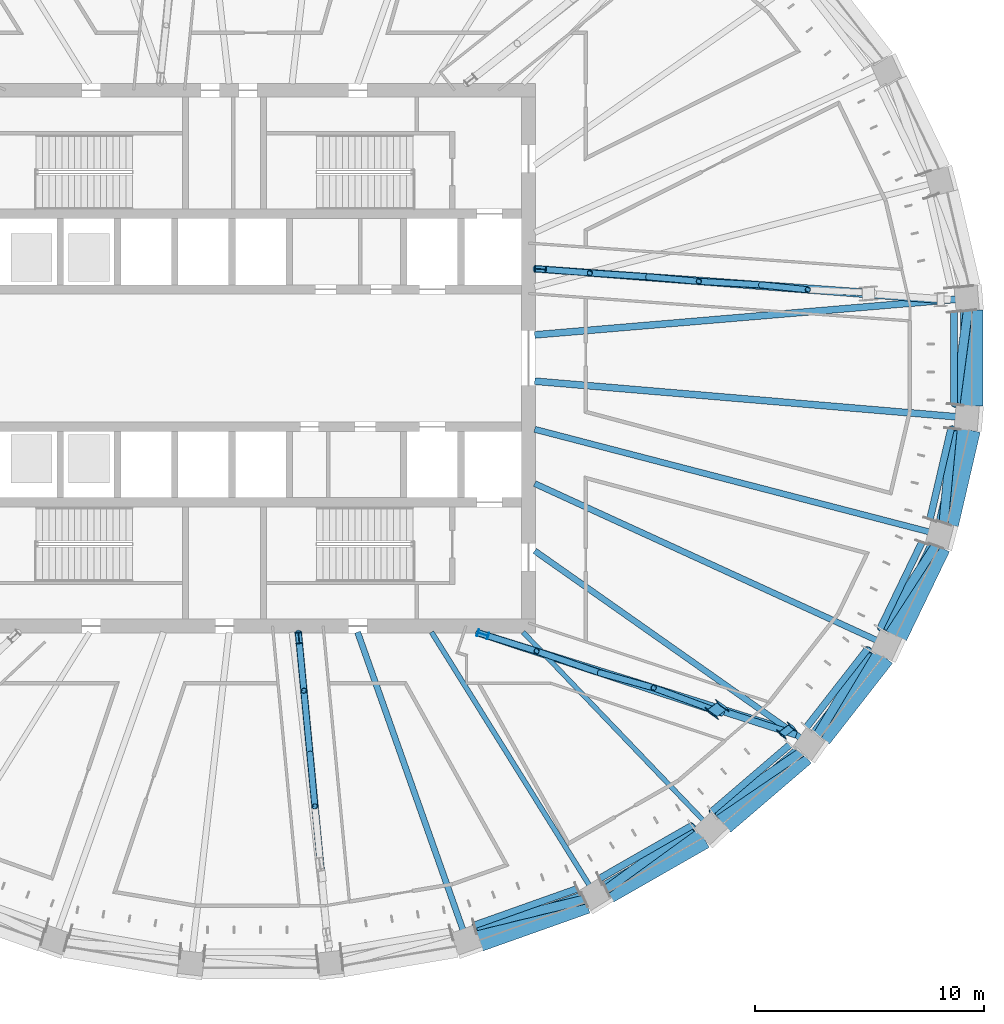
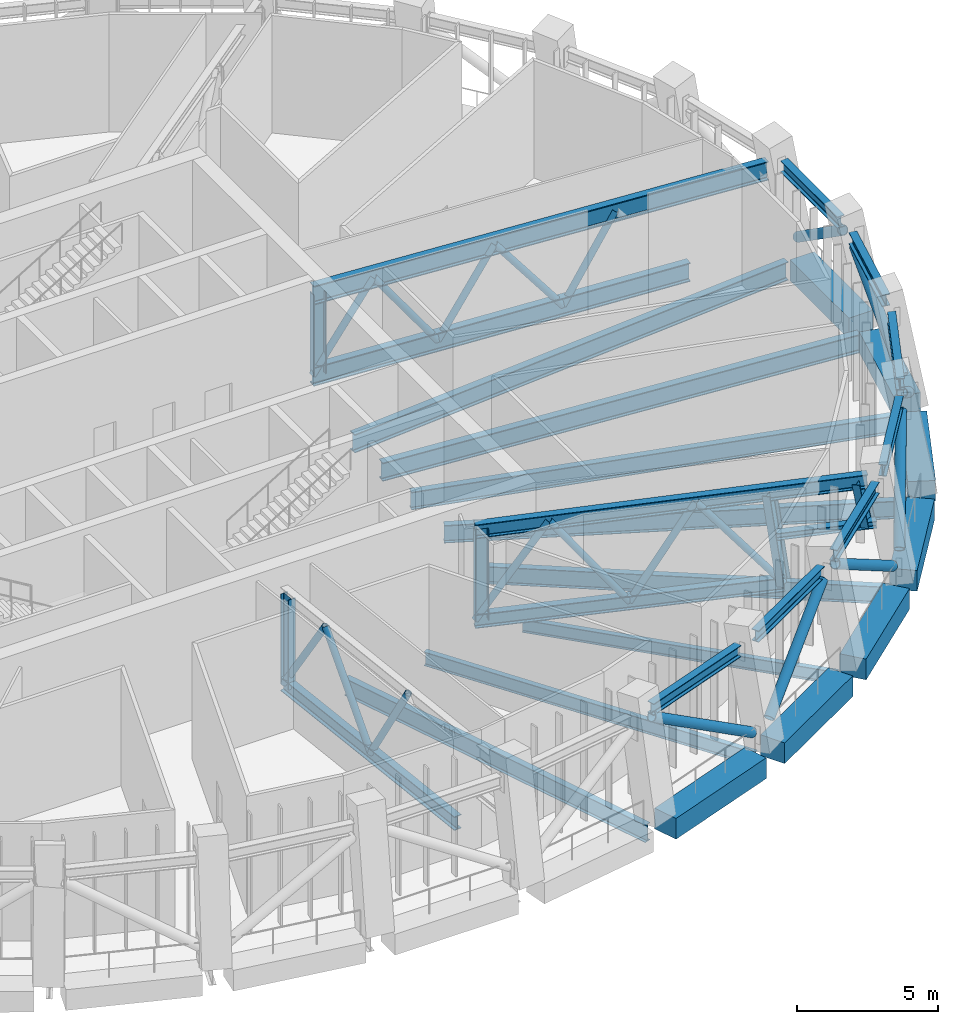
# One storey, part 3 of 20: 37 members, 15 beams.
"""IFC4 building model written with IfcOpenShell, lengths in metres."""

from ifc_helpers import new_model, si_unit, direction, frame, origin, origin_2d, place, context, subcontext, project, spatial, rectangle, hollow_circle, i_section, extrude, material, material_profile, profile_set, type_object, element, save


model = new_model("IFC4")

# Units and contexts
model_context = context("Model", 3, precision=1e-05, world=origin(), true_north=direction((0.0, 1.0)))
body_context = subcontext(model_context, "Body", "Model", "MODEL_VIEW")
ifc_project = project(units=[si_unit("LENGTHUNIT", "METRE"), si_unit("AREAUNIT", "SQUARE_METRE"), si_unit("VOLUMEUNIT", "CUBIC_METRE"), si_unit("PLANEANGLEUNIT", "RADIAN"), si_unit("MASSUNIT", "GRAM", prefix="KILO")], contexts=[model_context])

# Site, building, storey
site_placement = place(None, origin())
site = spatial("IfcSite", under=ifc_project, at=site_placement, CompositionType="ELEMENT")
building_placement = place(site_placement, origin())
building = spatial("IfcBuilding", under=site, at=building_placement, Name="Halqa Exchange Tower", CompositionType="ELEMENT")
storey_placement = place(building_placement, frame((0.0, 0.0, 250.89990234375)))
storey = spatial("IfcBuildingStorey", under=building, at=storey_placement, Name="L58", CompositionType="ELEMENT", Elevation=250.89990234375)

# Members
ifc_material_1 = material(Name="Steel S355", Category="steel")
ifc_material_profile_1 = material_profile(ifc_material_1, i_section(OverallWidth=0.300048828125, OverallDepth=0.5, WebThickness=0.014404296875, FlangeThickness=0.028076171875, FilletRadius=0.027099609375, at=origin_2d()), Name="HEB 500")
ifc_profile_set_1 = profile_set([ifc_material_profile_1], Name="Steel S355")
member_type_1 = type_object("IfcMemberType", Name="Belt truss chord HEB 500", PredefinedType="CHORD", material=ifc_profile_set_1)
member_1_placement = place(storey_placement, frame((9.325927734375, -24.77880859375, 4.25), z_axis=(0.942372371925, 0.334565856944, 0.0), x_axis=(-0.334565856944, 0.942372371925, 0.0)))
element("IfcMember", 1, at=member_1_placement, inside=storey, type_object=member_type_1, Name="Belt chord 26", PredefinedType="CHORD", context=body_context, shape_type="SweptSolid", body=[
    extrude(i_section(OverallWidth=0.300048828125, OverallDepth=0.5, WebThickness=0.014404296875, FlangeThickness=0.028076171875, FilletRadius=0.027099609375, at=origin_2d()), origin(), (0.0, 0.0, 1.0), 4.797119140625),
])
member_2_placement = place(storey_placement, frame((14.795654296875, -22.738037109375, 4.25), z_axis=(0.867756652631, 0.496989327666, 0.0), x_axis=(-0.496989327666, 0.867756652631, 0.0)))
element("IfcMember", 2, at=member_2_placement, inside=storey, type_object=member_type_1, Name="Belt chord 27", PredefinedType="CHORD", context=body_context, shape_type="SweptSolid", body=[
    extrude(i_section(OverallWidth=0.300048828125, OverallDepth=0.5, WebThickness=0.014404296875, FlangeThickness=0.028076171875, FilletRadius=0.027099609375, at=origin_2d()), origin(), (0.0, 0.0, 1.0), 4.667236328125),
])
member_3_placement = place(storey_placement, frame((19.698486328125, -19.816650390625, 4.25), z_axis=(0.759271904272, 0.650773520807, 0.0), x_axis=(-0.650773520807, 0.759271904272, 0.0)))
element("IfcMember", 3, at=member_3_placement, inside=storey, type_object=member_type_1, Name="Belt chord 28", PredefinedType="CHORD", context=body_context, shape_type="SweptSolid", body=[
    extrude(i_section(OverallWidth=0.300048828125, OverallDepth=0.5, WebThickness=0.014404296875, FlangeThickness=0.028076171875, FilletRadius=0.027099609375, at=origin_2d()), origin(), (0.0, 0.0, 1.0), 4.5048828125),
])
member_4_placement = place(storey_placement, frame((23.8408203125, -16.128662109375, 4.25), z_axis=(0.61482050044, 0.78866707313, 0.0), x_axis=(-0.78866707313, 0.61482050044, 0.0)))
element("IfcMember", 4, at=member_4_placement, inside=storey, type_object=member_type_1, Name="Belt chord 29", PredefinedType="CHORD", context=body_context, shape_type="SweptSolid", body=[
    extrude(i_section(OverallWidth=0.300048828125, OverallDepth=0.5, WebThickness=0.014404296875, FlangeThickness=0.028076171875, FilletRadius=0.027099609375, at=origin_2d()), origin(), (0.0, 0.0, 1.0), 4.33935546875),
])
member_5_placement = place(storey_placement, frame((27.0595703125, -11.820068359375, 4.25), z_axis=(0.4350908165, 0.90038657331, 0.0), x_axis=(-0.90038657331, 0.4350908165, 0.0)))
element("IfcMember", 5, at=member_5_placement, inside=storey, type_object=member_type_1, Name="Belt chord 30", PredefinedType="CHORD", context=body_context, shape_type="SweptSolid", body=[
    extrude(i_section(OverallWidth=0.300048828125, OverallDepth=0.5, WebThickness=0.014404296875, FlangeThickness=0.028076171875, FilletRadius=0.027099609375, at=origin_2d()), origin(), (0.0, 0.0, 1.0), 4.195068359375),
])
member_6_placement = place(storey_placement, frame((29.232421875, -7.0576171875, 4.25), z_axis=(0.226017574115, 0.974123224336, 0.0), x_axis=(-0.974123224336, 0.226017574115, 0.0)))
element("IfcMember", 6, at=member_6_placement, inside=storey, type_object=member_type_1, Name="Belt chord 31", PredefinedType="CHORD", context=body_context, shape_type="SweptSolid", body=[
    extrude(i_section(OverallWidth=0.300048828125, OverallDepth=0.5, WebThickness=0.014404296875, FlangeThickness=0.028076171875, FilletRadius=0.027099609375, at=origin_2d()), origin(), (0.0, 0.0, 1.0), 4.094970703125),
])
member_7_placement = place(storey_placement, frame((30.27685546875, -2.029541015625, 4.25), z_axis=(0.0, 1.0, 0.0), x_axis=(-1.0, 0.0, 0.0)))
element("IfcMember", 7, at=member_7_placement, inside=storey, type_object=member_type_1, Name="Belt chord 32", PredefinedType="CHORD", context=body_context, shape_type="SweptSolid", body=[
    extrude(i_section(OverallWidth=0.300048828125, OverallDepth=0.5, WebThickness=0.014404296875, FlangeThickness=0.028076171875, FilletRadius=0.027099609375, at=origin_2d()), origin(), (0.0, 0.0, 1.0), 4.05908203125),
])
ifc_material_profile_2 = material_profile(ifc_material_1, hollow_circle(Radius=0.203125, WallThickness=0.02490234375, at=origin_2d()), Name="CHS 406.4x25")
ifc_profile_set_2 = profile_set([ifc_material_profile_2], Name="Steel S355")
member_type_2 = type_object("IfcMemberType", Name="Belt truss diagonal CHS 406.4x25", PredefinedType="BRACE", material=ifc_profile_set_2)
member_8_placement = place(storey_placement, frame((9.339111328125, -24.829833984375, 3.924072265625), z_axis=(0.823999128006, 0.202018352643, -0.529352455591), x_axis=(-0.238116304833, 0.971236647462, 0.0)))
element("IfcMember", 8, at=member_8_placement, inside=storey, type_object=member_type_2, Name="Belt diagonal 26", PredefinedType="BRACE", context=body_context, shape_type="SweptSolid", body=[
    extrude(hollow_circle(Radius=0.203125, WallThickness=0.02490234375, at=origin_2d()), origin(), (0.0, 0.0, 1.0), 5.8408203125),
])
member_9_placement = place(storey_placement, frame((15.100341796875, -23.209716796875, 0.849365234375), z_axis=(0.676726577133, 0.491731315679, 0.547942928582), x_axis=(-0.587832726753, 0.808982500032, 0.0)))
element("IfcMember", 9, at=member_9_placement, inside=storey, type_object=member_type_2, Name="Belt diagonal 27", PredefinedType="BRACE", context=body_context, shape_type="SweptSolid", body=[
    extrude(hollow_circle(Radius=0.203125, WallThickness=0.02490234375, at=origin_2d()), origin(), (0.0, 0.0, 1.0), 5.5810546875),
])
member_10_placement = place(storey_placement, frame((19.732666015625, -19.86376953125, 3.9091796875), z_axis=(0.692379731861, 0.471487166758, -0.546177771875), x_axis=(-0.562855976316, 0.826554989051, 0.0)))
element("IfcMember", 10, at=member_10_placement, inside=storey, type_object=member_type_2, Name="Belt diagonal 28", PredefinedType="BRACE", context=body_context, shape_type="SweptSolid", body=[
    extrude(hollow_circle(Radius=0.203125, WallThickness=0.02490234375, at=origin_2d()), origin(), (0.0, 0.0, 1.0), 5.605712890625),
])
member_11_placement = place(storey_placement, frame((24.329833984375, -16.461669921875, 0.8720703125), z_axis=(0.422540858063, 0.704188568963, 0.570594148769), x_axis=(-0.857478035595, 0.514520571476, 0.0)))
element("IfcMember", 11, at=member_11_placement, inside=storey, type_object=member_type_2, Name="Belt diagonal 29", PredefinedType="BRACE", context=body_context, shape_type="SweptSolid", body=[
    extrude(hollow_circle(Radius=0.203125, WallThickness=0.02490234375, at=origin_2d()), origin(), (0.0, 0.0, 1.0), 5.28515625),
])
member_12_placement = place(storey_placement, frame((27.114501953125, -11.85498046875, 3.889404296875), z_axis=(0.447066654796, 0.690276806546, -0.568901868967), x_axis=(-0.83933884135, 0.543608599455, 0.0)))
element("IfcMember", 12, at=member_12_placement, inside=storey, type_object=member_type_2, Name="Belt diagonal 30", PredefinedType="BRACE", context=body_context, shape_type="SweptSolid", body=[
    extrude(hollow_circle(Radius=0.203125, WallThickness=0.02490234375, at=origin_2d()), origin(), (0.0, 0.0, 1.0), 5.30419921875),
])
member_13_placement = place(storey_placement, frame((29.82958984375, -7.206298828125, 0.8876953125), z_axis=(0.077729788774, 0.80790279843, 0.584167055067), x_axis=(-0.99540353066, 0.095769573188, 0.0)))
element("IfcMember", 13, at=member_13_placement, inside=storey, type_object=member_type_2, Name="Belt diagonal 31", PredefinedType="BRACE", context=body_context, shape_type="SweptSolid", body=[
    extrude(hollow_circle(Radius=0.203125, WallThickness=0.02490234375, at=origin_2d()), origin(), (0.0, 0.0, 1.0), 5.11328125),
])
member_14_placement = place(storey_placement, frame((30.34619140625, -2.038818359375, 3.875), z_axis=(0.107539329711, 0.804804314058, -0.583716805171), x_axis=(-0.991190414938, 0.132444559474, 0.0)))
element("IfcMember", 14, at=member_14_placement, inside=storey, type_object=member_type_2, Name="Belt diagonal 32", PredefinedType="BRACE", context=body_context, shape_type="SweptSolid", body=[
    extrude(hollow_circle(Radius=0.203125, WallThickness=0.02490234375, at=origin_2d()), origin(), (0.0, 0.0, 1.0), 5.119384765625),
])

# Beams
ifc_material_profile_3 = material_profile(ifc_material_1, i_section(OverallWidth=0.300048828125, OverallDepth=0.800048828125, WebThickness=0.017578125, FlangeThickness=0.032958984375, FilletRadius=0.030029296875, at=origin_2d()), Name="HEB 800")
ifc_profile_set_3 = profile_set([ifc_material_profile_3], Name="Steel S355")
beam_type_1 = type_object("IfcBeamType", Name="Floor beam HEB 800", PredefinedType="BEAM", material=ifc_profile_set_3)
for number, where, z_axis, x_axis, name in (
    (15, (11.972412109375, 1.0107421875, -0.75), (0.996455630381, 0.084120013563, 0.0), (-0.084120013563, 0.996455630381, 0.0), "Radial beam 1"),
    (16, (11.972412109375, -1.0107421875, -0.75), (0.996455630381, -0.084120013563, 0.0), (0.084120013563, 0.996455630381, 0.0), "Radial beam 32"),
):
    element("IfcBeam", number, at=place(storey_placement, frame(where, z_axis=z_axis, x_axis=x_axis)), inside=storey, type_object=beam_type_1, Name=name, PredefinedType="BEAM", context=body_context, shape_type="SweptSolid", body=[
        extrude(i_section(OverallWidth=0.300048828125, OverallDepth=0.800048828125, WebThickness=0.017578125, FlangeThickness=0.032958984375, FilletRadius=0.030029296875, at=origin_2d()), origin(), (0.0, 0.0, 1.0), 18.78369140625),
    ])
ifc_material_profile_4 = material_profile(ifc_material_1, i_section(OverallWidth=0.2099609375, OverallDepth=0.550048828125, WebThickness=0.010986328125, FlangeThickness=0.01708984375, FilletRadius=0.02392578125, at=origin_2d()), Name="IPE 550")
ifc_profile_set_4 = profile_set([ifc_material_profile_4], Name="Steel S355")
beam_type_2 = type_object("IfcBeamType", Name="Floor beam IPE 550", PredefinedType="BEAM", material=ifc_profile_set_4)
beam_1_placement = place(storey_placement, frame((11.462646484375, -11.971923828125, -0.625), z_axis=(0.691575675891, -0.722304011145, 0.0), x_axis=(0.722304011145, 0.691575675891, 0.0)))
element("IfcBeam", 17, at=beam_1_placement, inside=storey, type_object=beam_type_2, Name="Radial beam 28", PredefinedType="BEAM", context=body_context, shape_type="SweptSolid", body=[
    extrude(i_section(OverallWidth=0.2099609375, OverallDepth=0.550048828125, WebThickness=0.010986328125, FlangeThickness=0.01708984375, FilletRadius=0.02392578125, at=origin_2d()), origin(), (0.0, 0.0, 1.0), 11.679443359375),
])
ifc_material_profile_5 = material_profile(ifc_material_1, i_section(OverallWidth=0.219970703125, OverallDepth=0.60009765625, WebThickness=0.011962890625, FlangeThickness=0.01904296875, FilletRadius=0.02392578125, at=origin_2d()), Name="IPE 600")
ifc_profile_set_5 = profile_set([ifc_material_profile_5], Name="Steel S355")
beam_type_3 = type_object("IfcBeamType", Name="Floor beam IPE 600", PredefinedType="BEAM", material=ifc_profile_set_5)
beam_2_placement = place(storey_placement, frame((7.4658203125, -11.972412109375, -0.64990234375), z_axis=(0.529135296515, -0.848537469993, 0.0), x_axis=(0.848537469993, 0.529135296515, 0.0)))
element("IfcBeam", 18, at=beam_2_placement, inside=storey, type_object=beam_type_3, Name="Radial beam 27", PredefinedType="BEAM", context=body_context, shape_type="SweptSolid", body=[
    extrude(i_section(OverallWidth=0.219970703125, OverallDepth=0.60009765625, WebThickness=0.011962890625, FlangeThickness=0.01904296875, FilletRadius=0.02392578125, at=origin_2d()), origin(), (0.0, 0.0, 1.0), 13.319091796875),
])
ifc_material_profile_6 = material_profile(ifc_material_1, i_section(OverallWidth=0.264892578125, OverallDepth=0.7529296875, WebThickness=0.01318359375, FlangeThickness=0.01708984375, FilletRadius=0.01708984375, at=origin_2d()), Name="IPE 750x147")
ifc_profile_set_6 = profile_set([ifc_material_profile_6], Name="Steel S355")
beam_type_4 = type_object("IfcBeamType", Name="Floor beam IPE 750x147", PredefinedType="BEAM", material=ifc_profile_set_6)
beam_3_placement = place(storey_placement, frame((4.23681640625, -11.9716796875, -0.726318359375), z_axis=(0.333623449979, -0.942706419637, 0.0), x_axis=(0.942706419637, 0.333623449979, 0.0)))
element("IfcBeam", 19, at=beam_3_placement, inside=storey, type_object=beam_type_4, Name="Radial beam 26", PredefinedType="BEAM", context=body_context, shape_type="SweptSolid", body=[
    extrude(i_section(OverallWidth=0.264892578125, OverallDepth=0.7529296875, WebThickness=0.01318359375, FlangeThickness=0.01708984375, FilletRadius=0.01708984375, at=origin_2d()), origin(), (0.0, 0.0, 1.0), 14.08251953125),
])
beam_4_placement = place(storey_placement, frame((11.97216796875, -8.421630859375, -0.726318359375), z_axis=(0.817908068869, -0.575348929676, 0.0), x_axis=(0.575348929676, 0.817908068869, 0.0)))
element("IfcBeam", 20, at=beam_4_placement, inside=storey, type_object=beam_type_4, Name="Radial beam 29", PredefinedType="BEAM", context=body_context, shape_type="SweptSolid", body=[
    extrude(i_section(OverallWidth=0.264892578125, OverallDepth=0.7529296875, WebThickness=0.01318359375, FlangeThickness=0.01708984375, FilletRadius=0.01708984375, at=origin_2d()), origin(), (0.0, 0.0, 1.0), 14.48388671875),
])
ifc_material_profile_7 = material_profile(ifc_material_1, i_section(OverallWidth=0.26806640625, OverallDepth=0.77001953125, WebThickness=0.015625, FlangeThickness=0.025390625, FilletRadius=0.01708984375, at=origin_2d()), Name="IPE 750x196")
ifc_profile_set_7 = profile_set([ifc_material_profile_7], Name="Steel S355")
beam_type_5 = type_object("IfcBeamType", Name="Floor beam IPE 750x196", PredefinedType="BEAM", material=ifc_profile_set_7)
beam_5_placement = place(storey_placement, frame((11.97119140625, -5.484619140625, -0.73486328125), z_axis=(0.909127215355, -0.41651855457, 0.0), x_axis=(0.41651855457, 0.909127215355, 0.0)))
element("IfcBeam", 21, at=beam_5_placement, inside=storey, type_object=beam_type_5, Name="Radial beam 30", PredefinedType="BEAM", context=body_context, shape_type="SweptSolid", body=[
    extrude(i_section(OverallWidth=0.26806640625, OverallDepth=0.77001953125, WebThickness=0.015625, FlangeThickness=0.025390625, FilletRadius=0.01708984375, at=origin_2d()), origin(), (0.0, 0.0, 1.0), 16.732666015625),
])
beam_6_placement = place(storey_placement, frame((11.97119140625, -3.112548828125, -0.73486328125), z_axis=(0.967817321114, -0.251653795821, 0.0), x_axis=(0.251653795821, 0.967817321114, 0.0)))
element("IfcBeam", 22, at=beam_6_placement, inside=storey, type_object=beam_type_5, Name="Radial beam 31", PredefinedType="BEAM", context=body_context, shape_type="SweptSolid", body=[
    extrude(i_section(OverallWidth=0.26806640625, OverallDepth=0.77001953125, WebThickness=0.015625, FlangeThickness=0.025390625, FilletRadius=0.01708984375, at=origin_2d()), origin(), (0.0, 0.0, 1.0), 18.116455078125),
])

# Members
ifc_material_profile_8 = material_profile(ifc_material_1, i_section(OverallWidth=0.300048828125, OverallDepth=0.60009765625, WebThickness=0.015380859375, FlangeThickness=0.030029296875, FilletRadius=0.027099609375, at=origin_2d()), Name="HEB 600")
ifc_profile_set_8 = profile_set([ifc_material_profile_8], Name="Steel S355")
member_type_3 = type_object("IfcMemberType", Name="Outrigger chord HEB 600", PredefinedType="CHORD", material=ifc_profile_set_8)
member_15_placement = place(storey_placement, frame((1.6474609375, -11.97314453125, 0.300048828125), z_axis=(0.095237477147, -0.995454581057, 0.0), x_axis=(0.995454581057, 0.095237477147, 0.0)))
element("IfcMember", 23, at=member_15_placement, inside=storey, type_object=member_type_3, Name="Outrigger 7 chord", PredefinedType="CHORD", context=body_context, shape_type="SweptSolid", body=[
    extrude(i_section(OverallWidth=0.300048828125, OverallDepth=0.60009765625, WebThickness=0.015380859375, FlangeThickness=0.030029296875, FilletRadius=0.027099609375, at=origin_2d()), origin(), (0.0, 0.0, 1.0), 10.677001953125),
])
member_16_placement = place(storey_placement, frame((9.474365234375, -11.99169921875, 0.300048828125), z_axis=(0.949991587518, -0.312275493187, 0.0), x_axis=(0.312275493187, 0.949991587518, 0.0)))
element("IfcMember", 24, at=member_16_placement, inside=storey, type_object=member_type_3, Name="Outrigger 8 chord", PredefinedType="CHORD", context=body_context, shape_type="SweptSolid", body=[
    extrude(i_section(OverallWidth=0.300048828125, OverallDepth=0.60009765625, WebThickness=0.015380859375, FlangeThickness=0.030029296875, FilletRadius=0.027099609375, at=origin_2d()), origin(), (0.0, 0.0, 1.0), 11.256591796875),
])
member_17_placement = place(storey_placement, frame((9.474365234375, -11.99169921875, 4.2001953125), z_axis=(0.954238057064, -0.299048040372, 0.0), x_axis=(0.299048040372, 0.954238057064, 0.0)))
element("IfcMember", 25, at=member_17_placement, inside=storey, type_object=member_type_3, Name="Outrigger 8 chord", PredefinedType="CHORD", context=body_context, shape_type="SweptSolid", body=[
    extrude(i_section(OverallWidth=0.300048828125, OverallDepth=0.60009765625, WebThickness=0.015380859375, FlangeThickness=0.030029296875, FilletRadius=0.027099609375, at=origin_2d()), origin(), (0.0, 0.0, 1.0), 14.312255859375),
])
ifc_material_profile_9 = material_profile(ifc_material_1, i_section(OverallWidth=0.302978515625, OverallDepth=0.81396484375, WebThickness=0.02099609375, FlangeThickness=0.0400390625, FilletRadius=0.030029296875, at=origin_2d()), Name="HEM 800")
ifc_profile_set_9 = profile_set([ifc_material_profile_9], Name="Steel S355")
member_type_4 = type_object("IfcMemberType", Name="Outrigger chord HEM 800", PredefinedType="CHORD", material=ifc_profile_set_9)
member_18_placement = place(storey_placement, frame((11.97314453125, 3.90185546875, 0.406982421875), z_axis=(0.997448289779, -0.071392641192, 0.0), x_axis=(0.071392641192, 0.997448289779, 0.0)))
element("IfcMember", 26, at=member_18_placement, inside=storey, type_object=member_type_4, Name="Outrigger 1 chord", PredefinedType="CHORD", context=body_context, shape_type="SweptSolid", body=[
    extrude(i_section(OverallWidth=0.302978515625, OverallDepth=0.81396484375, WebThickness=0.02099609375, FlangeThickness=0.0400390625, FilletRadius=0.030029296875, at=origin_2d()), origin(), (0.0, 0.0, 1.0), 14.896240234375),
])
member_19_placement = place(storey_placement, frame((11.97314453125, 3.90185546875, 3.940185546875), z_axis=(0.997028322855, -0.077035858045, 0.0), x_axis=(0.077035858045, 0.997028322855, 0.0)))
element("IfcMember", 27, at=member_19_placement, inside=storey, type_object=member_type_4, Name="Outrigger 1 chord", PredefinedType="CHORD", context=body_context, shape_type="SweptSolid", body=[
    extrude(i_section(OverallWidth=0.302978515625, OverallDepth=0.81396484375, WebThickness=0.02099609375, FlangeThickness=0.0400390625, FilletRadius=0.030029296875, at=origin_2d()), origin(), (0.0, 0.0, 1.0), 17.934326171875),
])
ifc_material_profile_10 = material_profile(ifc_material_1, hollow_circle(Radius=0.136474609375, WallThickness=0.01611328125, at=origin_2d()), Name="CHS 273x16")
ifc_profile_set_10 = profile_set([ifc_material_profile_10], Name="Steel S355")
member_type_5 = type_object("IfcMemberType", Name="Outrigger diagonal CHS 273x16", PredefinedType="BRACE", material=ifc_profile_set_10)
member_20_placement = place(storey_placement, frame((12.0, 3.89990234375, 0.406982421875), z_axis=(0.558260294187, -0.043110450366, 0.82854506999), x_axis=(0.076993619517, 0.997031585535, 0.0)))
element("IfcMember", 28, at=member_20_placement, inside=storey, type_object=member_type_5, Name="Outrigger 1 diagonal", PredefinedType="BRACE", context=body_context, shape_type="SweptSolid", body=[
    extrude(hollow_circle(Radius=0.136474609375, WallThickness=0.01611328125, at=origin_2d()), origin(), (0.0, 0.0, 1.0), 4.264404296875),
])
member_21_placement = place(storey_placement, frame((14.380615234375, 3.716064453125, 3.940185546875), z_axis=(0.585416594962, -0.038833790566, -0.809802041893), x_axis=(0.066189838596, 0.997807048114, 0.0)))
element("IfcMember", 29, at=member_21_placement, inside=storey, type_object=member_type_5, Name="Outrigger 1 diagonal", PredefinedType="BRACE", context=body_context, shape_type="SweptSolid", body=[
    extrude(hollow_circle(Radius=0.136474609375, WallThickness=0.01611328125, at=origin_2d()), origin(), (0.0, 0.0, 1.0), 4.363037109375),
])
member_22_placement = place(storey_placement, frame((16.934814453125, 3.546630859375, 0.406982421875), z_axis=(0.529145742603, -0.047593261283, 0.847195175013), x_axis=(0.089581955558, 0.995979454225, 0.0)))
element("IfcMember", 30, at=member_22_placement, inside=storey, type_object=member_type_5, Name="Outrigger 1 diagonal", PredefinedType="BRACE", context=body_context, shape_type="SweptSolid", body=[
    extrude(hollow_circle(Radius=0.136474609375, WallThickness=0.01611328125, at=origin_2d()), origin(), (0.0, 0.0, 1.0), 4.17041015625),
])
member_23_placement = place(storey_placement, frame((19.1416015625, 3.34814453125, 3.940185546875), z_axis=(0.610776432914, -0.034600096835, -0.791046763659), x_axis=(0.056558684624, 0.998399276439, 0.0)))
element("IfcMember", 31, at=member_23_placement, inside=storey, type_object=member_type_5, Name="Outrigger 1 diagonal", PredefinedType="BRACE", context=body_context, shape_type="SweptSolid", body=[
    extrude(hollow_circle(Radius=0.136474609375, WallThickness=0.01611328125, at=origin_2d()), origin(), (0.0, 0.0, 1.0), 4.466552734375),
])
member_24_placement = place(storey_placement, frame((21.86962890625, 3.193603515625, 0.406982421875), z_axis=(0.498086263374, -0.052272741857, 0.865550480733), x_axis=(0.104373957614, 0.994538122433, 0.0)))
element("IfcMember", 32, at=member_24_placement, inside=storey, type_object=member_type_5, Name="Outrigger 1 diagonal", PredefinedType="BRACE", context=body_context, shape_type="SweptSolid", body=[
    extrude(hollow_circle(Radius=0.136474609375, WallThickness=0.01611328125, at=origin_2d()), origin(), (0.0, 0.0, 1.0), 4.08203125),
])
member_25_placement = place(storey_placement, frame((1.64990234375, -12.0, 0.300048828125), z_axis=(0.051513898722, -0.543204094972, 0.838018871771), x_axis=(0.995533416584, 0.094409832456, 0.0)))
element("IfcMember", 33, at=member_25_placement, inside=storey, type_object=member_type_5, Name="Outrigger 7 diagonal", PredefinedType="BRACE", context=body_context, shape_type="SweptSolid", body=[
    extrude(hollow_circle(Radius=0.136474609375, WallThickness=0.01611328125, at=origin_2d()), origin(), (0.0, 0.0, 1.0), 4.654052734375),
])
member_26_placement = place(storey_placement, frame((1.8896484375, -14.528076171875, 4.2001953125), z_axis=(0.055665720732, -0.576658089564, -0.815086974056), x_axis=(0.995373137365, 0.096084948935, 0.0)))
element("IfcMember", 34, at=member_26_placement, inside=storey, type_object=member_type_5, Name="Outrigger 7 diagonal", PredefinedType="BRACE", context=body_context, shape_type="SweptSolid", body=[
    extrude(hollow_circle(Radius=0.136474609375, WallThickness=0.01611328125, at=origin_2d()), origin(), (0.0, 0.0, 1.0), 4.784912109375),
])
member_27_placement = place(storey_placement, frame((2.156005859375, -17.287353515625, 0.300048828125), z_axis=(0.046981620487, -0.50693815042, 0.860701132209), x_axis=(0.995732934081, 0.092281764111, 0.0)))
element("IfcMember", 35, at=member_27_placement, inside=storey, type_object=member_type_5, Name="Outrigger 7 diagonal", PredefinedType="BRACE", context=body_context, shape_type="SweptSolid", body=[
    extrude(hollow_circle(Radius=0.136474609375, WallThickness=0.01611328125, at=origin_2d()), origin(), (0.0, 0.0, 1.0), 4.53125),
])
member_28_placement = place(storey_placement, frame((9.5, -12.0, 0.300048828125), z_axis=(0.540214355601, -0.169252372373, 0.824331295323), x_axis=(0.298975575955, 0.954260763619, 0.0)))
element("IfcMember", 36, at=member_28_placement, inside=storey, type_object=member_type_5, Name="Outrigger 8 diagonal", PredefinedType="BRACE", context=body_context, shape_type="SweptSolid", body=[
    extrude(hollow_circle(Radius=0.136474609375, WallThickness=0.01611328125, at=origin_2d()), origin(), (0.0, 0.0, 1.0), 4.731201171875),
])
member_29_placement = place(storey_placement, frame((12.055908203125, -12.80078125, 4.2001953125), z_axis=(0.56734743745, -0.194592106868, -0.800156732874), x_axis=(0.324433207425, 0.945908607594, 0.0)))
element("IfcMember", 37, at=member_29_placement, inside=storey, type_object=member_type_5, Name="Outrigger 8 diagonal", PredefinedType="BRACE", context=body_context, shape_type="SweptSolid", body=[
    extrude(hollow_circle(Radius=0.136474609375, WallThickness=0.01611328125, at=origin_2d()), origin(), (0.0, 0.0, 1.0), 4.874267578125),
])
member_30_placement = place(storey_placement, frame((14.8212890625, -13.749267578125, 0.300048828125), z_axis=(0.510287056266, -0.142132811323, 0.848177684305), x_axis=(0.268321009736, 0.963329557179, 0.0)))
element("IfcMember", 38, at=member_30_placement, inside=storey, type_object=member_type_5, Name="Outrigger 8 diagonal", PredefinedType="BRACE", context=body_context, shape_type="SweptSolid", body=[
    extrude(hollow_circle(Radius=0.136474609375, WallThickness=0.01611328125, at=origin_2d()), origin(), (0.0, 0.0, 1.0), 4.59814453125),
])
member_31_placement = place(storey_placement, frame((17.167724609375, -14.40283203125, 4.2001953125), z_axis=(0.591889926365, -0.217957332753, -0.775990280975), x_axis=(0.345555461632, 0.938398328502, 0.0)))
element("IfcMember", 39, at=member_31_placement, inside=storey, type_object=member_type_5, Name="Outrigger 8 diagonal", PredefinedType="BRACE", context=body_context, shape_type="SweptSolid", body=[
    extrude(hollow_circle(Radius=0.136474609375, WallThickness=0.01611328125, at=origin_2d()), origin(), (0.0, 0.0, 1.0), 5.026123046875),
])
ifc_material_profile_11 = material_profile(ifc_material_1, i_section(OverallWidth=0.300048828125, OverallDepth=0.300048828125, WebThickness=0.010986328125, FlangeThickness=0.01904296875, FilletRadius=0.027099609375, at=origin_2d()), Name="HEB 300")
ifc_profile_set_11 = profile_set([ifc_material_profile_11], Name="Steel S355")
member_type_6 = type_object("IfcMemberType", Name="Outrigger opening chord HEB 300", PredefinedType="CHORD", material=ifc_profile_set_11)
member_32_placement = place(storey_placement, frame((19.92236328125, -15.343505859375, 2.35009765625), z_axis=(0.952202464008, -0.305467621096, 0.0), x_axis=(0.305467621096, 0.952202464008, 0.0)))
element("IfcMember", 40, at=member_32_placement, inside=storey, type_object=member_type_6, Name="Outrigger 8 opening chord", PredefinedType="CHORD", context=body_context, shape_type="SweptSolid", body=[
    extrude(i_section(OverallWidth=0.300048828125, OverallDepth=0.300048828125, WebThickness=0.010986328125, FlangeThickness=0.01904296875, FilletRadius=0.027099609375, at=origin_2d()), origin(), (0.0, 0.0, 1.0), 3.6484375),
])
ifc_material_profile_12 = material_profile(ifc_material_1, i_section(OverallWidth=0.300048828125, OverallDepth=0.5, WebThickness=0.014404296875, FlangeThickness=0.028076171875, FilletRadius=0.027099609375, at=origin_2d()), Name="HEB 500")
ifc_profile_set_12 = profile_set([ifc_material_profile_12], Name="Steel S355")
member_type_7 = type_object("IfcMemberType", Name="Outrigger post HEB 500", PredefinedType="POST", material=ifc_profile_set_12)
member_33_placement = place(storey_placement, frame((12.221435546875, 3.884033203125, 0.406982421875), z_axis=(0.0, 0.0, 1.0), x_axis=(0.070940357186, 0.99748055907, 0.0)))
element("IfcMember", 41, at=member_33_placement, inside=storey, type_object=member_type_7, Name="Outrigger 1 post", PredefinedType="POST", context=body_context, shape_type="SweptSolid", body=[
    extrude(i_section(OverallWidth=0.300048828125, OverallDepth=0.5, WebThickness=0.014404296875, FlangeThickness=0.028076171875, FilletRadius=0.027099609375, at=origin_2d()), origin(), (0.0, 0.0, 1.0), 3.533203125),
])
for number, where, z_axis, x_axis, name in (
    (42, (1.671142578125, -12.22119140625, 0.300048828125), (0.0, 0.0, 1.0), (0.995451236454, 0.095272429601, 0.0), "Outrigger 7 post"),
    (43, (9.711181640625, -12.0693359375, 0.300048828125), (0.0, 0.0, 1.0), (0.3128820113, 0.949792001969, 0.0), "Outrigger 8 post"),
):
    element("IfcMember", number, at=place(storey_placement, frame(where, z_axis=z_axis, x_axis=x_axis)), inside=storey, type_object=member_type_7, Name=name, PredefinedType="POST", context=body_context, shape_type="SweptSolid", body=[
        extrude(i_section(OverallWidth=0.300048828125, OverallDepth=0.5, WebThickness=0.014404296875, FlangeThickness=0.028076171875, FilletRadius=0.027099609375, at=origin_2d()), origin(), (0.0, 0.0, 1.0), 3.900146484375),
    ])
ifc_material_profile_13 = material_profile(ifc_material_1, i_section(OverallWidth=0.300048828125, OverallDepth=0.60009765625, WebThickness=0.015380859375, FlangeThickness=0.030029296875, FilletRadius=0.027099609375, at=origin_2d()), Name="HEB 600")
ifc_profile_set_13 = profile_set([ifc_material_profile_13], Name="Steel S355")
member_type_8 = type_object("IfcMemberType", Name="Outrigger post HEB 600", PredefinedType="POST", material=ifc_profile_set_13)
member_34_placement = place(storey_placement, frame((20.142578125, -15.498291015625, 0.300048828125), z_axis=(-0.106442456072, 0.074851079896, 0.991497513554), x_axis=(0.590345258327, -0.797632385698, 0.123592286396)))
element("IfcMember", 44, at=member_34_placement, inside=storey, type_object=member_type_8, Name="Outrigger 8 post", PredefinedType="POST", context=body_context, shape_type="SweptSolid", body=[
    extrude(i_section(OverallWidth=0.300048828125, OverallDepth=0.60009765625, WebThickness=0.015380859375, FlangeThickness=0.030029296875, FilletRadius=0.027099609375, at=origin_2d()), origin(), (0.0, 0.0, 1.0), 3.93359375),
])
member_35_placement = place(storey_placement, frame((23.112548828125, -16.36474609375, 2.35009765625), z_axis=(-0.141033459282, 0.099178368141, 0.985024474141), x_axis=(0.585306181272, -0.794103265967, 0.163757983454)))
element("IfcMember", 45, at=member_35_placement, inside=storey, type_object=member_type_8, Name="Outrigger 8 post", PredefinedType="POST", context=body_context, shape_type="SweptSolid", body=[
    extrude(i_section(OverallWidth=0.300048828125, OverallDepth=0.60009765625, WebThickness=0.015380859375, FlangeThickness=0.030029296875, FilletRadius=0.027099609375, at=origin_2d()), origin(), (0.0, 0.0, 1.0), 1.878173828125),
])

# Beams
ifc_material_2 = material(Name="Concrete C60/75", Category="concrete")
ifc_material_profile_14 = material_profile(ifc_material_2, rectangle(XDim=1.0, YDim=0.89990234375, at=origin_2d()), Name="1000 x 900")
ifc_profile_set_14 = profile_set([ifc_material_profile_14], Name="Concrete C60/75")
beam_type_6 = type_object("IfcBeamType", Name="RC spandrel beam 1000 x 900 C60/75", PredefinedType="SPANDREL", material=ifc_profile_set_14)
beam_7_placement = place(storey_placement, frame((9.554443359375, -25.42431640625, -0.449951171875), z_axis=(0.94237407927, 0.334561047822, 0.0), x_axis=(-0.334561047822, 0.94237407927, 0.0)))
element("IfcBeam", 46, at=beam_7_placement, inside=storey, type_object=beam_type_6, Name="Spandrel 26", PredefinedType="SPANDREL", context=body_context, shape_type="SweptSolid", body=[
    extrude(rectangle(XDim=1.0, YDim=0.89990234375, at=origin_2d()), origin(), (0.0, 0.0, 1.0), 4.94970703125),
])
beam_8_placement = place(storey_placement, frame((15.167724609375, -23.33251953125, -0.449951171875), z_axis=(0.8677465318, 0.497006998491, 0.0), x_axis=(-0.497006998491, 0.8677465318, 0.0)))
element("IfcBeam", 47, at=beam_8_placement, inside=storey, type_object=beam_type_6, Name="Spandrel 27", PredefinedType="SPANDREL", context=body_context, shape_type="SweptSolid", body=[
    extrude(rectangle(XDim=1.0, YDim=0.89990234375, at=origin_2d()), origin(), (0.0, 0.0, 1.0), 4.814453125),
])
beam_9_placement = place(storey_placement, frame((20.197998046875, -20.337890625, -0.449951171875), z_axis=(0.759267722395, 0.650778399864, 0.0), x_axis=(-0.650778399864, 0.759267722395, 0.0)))
element("IfcBeam", 48, at=beam_9_placement, inside=storey, type_object=beam_type_6, Name="Spandrel 28", PredefinedType="SPANDREL", context=body_context, shape_type="SweptSolid", body=[
    extrude(rectangle(XDim=1.0, YDim=0.89990234375, at=origin_2d()), origin(), (0.0, 0.0, 1.0), 4.649169921875),
])
beam_10_placement = place(storey_placement, frame((24.448974609375, -16.556884765625, -0.449951171875), z_axis=(0.614827074471, 0.788661948174, 0.0), x_axis=(-0.788661948174, 0.614827074471, 0.0)))
element("IfcBeam", 49, at=beam_10_placement, inside=storey, type_object=beam_type_6, Name="Spandrel 29", PredefinedType="SPANDREL", context=body_context, shape_type="SweptSolid", body=[
    extrude(rectangle(XDim=1.0, YDim=0.89990234375, at=origin_2d()), origin(), (0.0, 0.0, 1.0), 4.478759765625),
])
beam_11_placement = place(storey_placement, frame((27.754150390625, -12.13720703125, -0.449951171875), z_axis=(0.435106956981, 0.900378773621, 0.0), x_axis=(-0.900378773621, 0.435106956981, 0.0)))
element("IfcBeam", 50, at=beam_11_placement, inside=storey, type_object=beam_type_6, Name="Spandrel 30", PredefinedType="SPANDREL", context=body_context, shape_type="SweptSolid", body=[
    extrude(rectangle(XDim=1.0, YDim=0.89990234375, at=origin_2d()), origin(), (0.0, 0.0, 1.0), 4.330078125),
])
beam_12_placement = place(storey_placement, frame((29.985595703125, -7.25341796875, -0.449951171875), z_axis=(0.226039726133, 0.974118084325, 0.0), x_axis=(-0.974118084325, 0.226039726133, 0.0)))
element("IfcBeam", 51, at=beam_12_placement, inside=storey, type_object=beam_type_6, Name="Spandrel 31", PredefinedType="SPANDREL", context=body_context, shape_type="SweptSolid", body=[
    extrude(rectangle(XDim=1.0, YDim=0.89990234375, at=origin_2d()), origin(), (0.0, 0.0, 1.0), 4.2294921875),
])
beam_13_placement = place(storey_placement, frame((31.060302734375, -2.09716796875, -0.449951171875), z_axis=(0.0, 1.0, 0.0), x_axis=(-1.0, 0.0, 0.0)))
element("IfcBeam", 52, at=beam_13_placement, inside=storey, type_object=beam_type_6, Name="Spandrel 32", PredefinedType="SPANDREL", context=body_context, shape_type="SweptSolid", body=[
    extrude(rectangle(XDim=1.0, YDim=0.89990234375, at=origin_2d()), origin(), (0.0, 0.0, 1.0), 4.1943359375),
])

save(model, "model.ifc")
